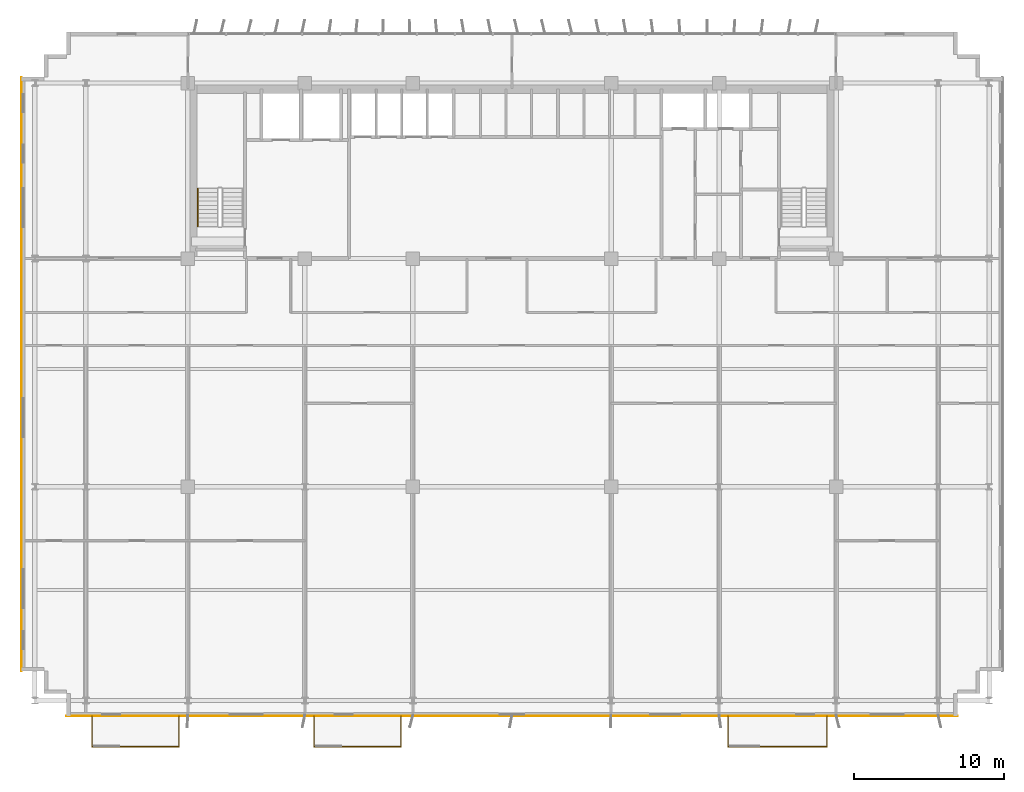
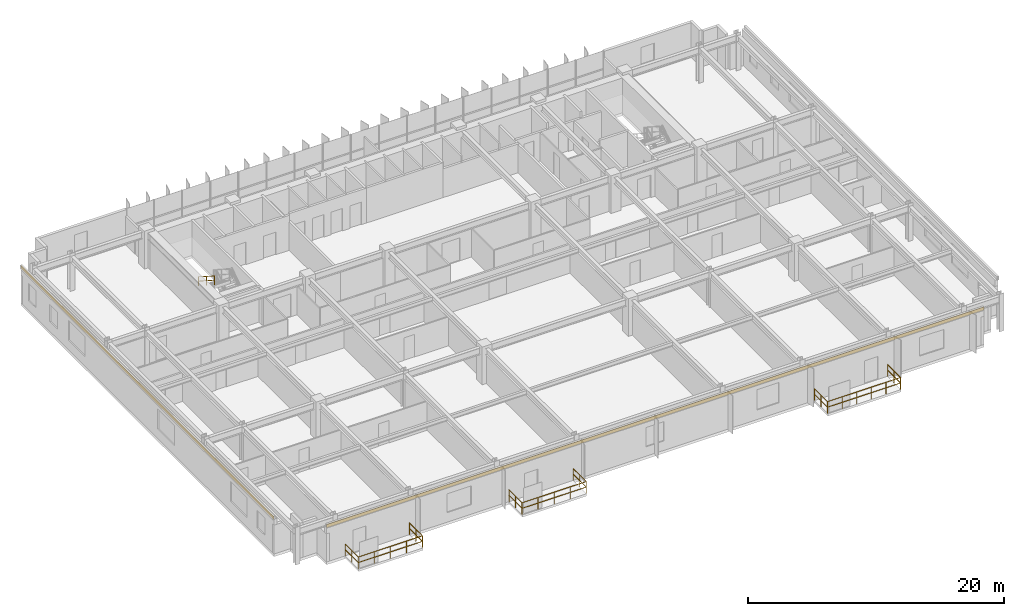
# One storey, part 19 of 21: 10 railings, 2 coverings.
"""IFC4 building model written with IfcOpenShell, lengths in metres."""

from ifc_helpers import new_model, si_unit, direction, frame, origin, origin_2d, place, context, subcontext, project, spatial, rectangle, extrude, source, transform, mapped, material, layer, layer_set, type_object, element, save


model = new_model("IFC4")

# Units and contexts
model_context = context("Model", 3, precision=1e-05, world=origin(), true_north=direction((0.0, 1.0)))
body_context = subcontext(model_context, "Body", "Model", "MODEL_VIEW")
ifc_project = project(units=[si_unit("LENGTHUNIT", "METRE"), si_unit("AREAUNIT", "SQUARE_METRE"), si_unit("VOLUMEUNIT", "CUBIC_METRE"), si_unit("PLANEANGLEUNIT", "RADIAN"), si_unit("MASSUNIT", "GRAM", prefix="KILO")], contexts=[model_context])

# Site, building, storey
site_placement = place(None, origin())
site = spatial("IfcSite", under=ifc_project, at=site_placement, CompositionType="ELEMENT")
building_placement = place(site_placement, origin())
building = spatial("IfcBuilding", under=site, at=building_placement, Name="Trelvane Seafront Commons", CompositionType="ELEMENT")
storey_placement = place(building_placement, frame((0.0, 0.0, 41.5)))
storey = spatial("IfcBuildingStorey", under=building, at=storey_placement, Name="L10", CompositionType="ELEMENT", Elevation=41.5)

# Railings
ifc_material_1 = material(Name="Stainless steel balustrade", Category="steel")
railing_type_1 = type_object("IfcRailingType", Name="ARCH-RAIL-BAL1150", PredefinedType="BALUSTRADE", material=ifc_material_1)
railing_1_placement = place(storey_placement, frame((9.199951171875, 2.89990234375, 0.0)))
element("IfcRailing", 1, at=railing_1_placement, inside=storey, type_object=railing_type_1, Name="RL-L10-BAL0-01", PredefinedType="BALUSTRADE", context=body_context, shape_type="SweptSolid", body=[
    extrude(rectangle(XDim=0.048095703125, YDim=0.048095703125, at=origin_2d()), frame((0.0, 0.0, 1.1259765625), z_axis=(0.0, -1.0, 0.0), x_axis=(1.0, 0.0, 0.0)), (0.0, 0.0, 1.0), 2.039794921875),
    extrude(rectangle(XDim=0.048095703125, YDim=0.048095703125, at=origin_2d()), frame((0.0, 0.0, 0.597900390625), z_axis=(0.0, -1.0, 0.0), x_axis=(1.0, 0.0, 0.0)), (0.0, 0.0, 1.0), 2.039794921875),
    extrude(rectangle(XDim=0.0419921875, YDim=0.0419921875, at=origin_2d()), origin(), (0.0, 0.0, 1.0), 1.1259765625),
    extrude(rectangle(XDim=0.0419921875, YDim=0.0419921875, at=origin_2d()), frame((0.0, -1.02001953125, 0.0)), (0.0, 0.0, 1.0), 1.1259765625),
    extrude(rectangle(XDim=0.0419921875, YDim=0.0419921875, at=origin_2d()), frame((0.0, -2.039794921875, 0.0)), (0.0, 0.0, 1.0), 1.1259765625),
])
railing_2_placement = place(storey_placement, frame((9.199951171875, 0.860107421875, 0.0)))
element("IfcRailing", 2, at=railing_2_placement, inside=storey, type_object=railing_type_1, Name="RL-L10-BAL0-02", PredefinedType="BALUSTRADE", context=body_context, shape_type="SweptSolid", body=[
    extrude(rectangle(XDim=0.048095703125, YDim=0.048095703125, at=origin_2d()), frame((0.0, 0.0, 1.1259765625), z_axis=(1.0, 0.0, 0.0), x_axis=(0.0, 1.0, 0.0)), (0.0, 0.0, 1.0), 5.800048828125),
    extrude(rectangle(XDim=0.048095703125, YDim=0.048095703125, at=origin_2d()), frame((0.0, 0.0, 0.597900390625), z_axis=(1.0, 0.0, 0.0), x_axis=(0.0, 1.0, 0.0)), (0.0, 0.0, 1.0), 5.800048828125),
    extrude(rectangle(XDim=0.0419921875, YDim=0.0419921875, at=origin_2d()), origin(), (0.0, 0.0, 1.0), 1.1259765625),
    extrude(rectangle(XDim=0.0419921875, YDim=0.0419921875, at=origin_2d()), frame((1.449951171875, 0.0, 0.0)), (0.0, 0.0, 1.0), 1.1259765625),
    extrude(rectangle(XDim=0.0419921875, YDim=0.0419921875, at=origin_2d()), frame((2.89990234375, 0.0, 0.0)), (0.0, 0.0, 1.0), 1.1259765625),
    extrude(rectangle(XDim=0.0419921875, YDim=0.0419921875, at=origin_2d()), frame((4.35009765625, 0.0, 0.0)), (0.0, 0.0, 1.0), 1.1259765625),
    extrude(rectangle(XDim=0.0419921875, YDim=0.0419921875, at=origin_2d()), frame((5.800048828125, 0.0, 0.0)), (0.0, 0.0, 1.0), 1.1259765625),
])
railing_3_placement = place(storey_placement, frame((15.0, 0.860107421875, 0.0)))
element("IfcRailing", 3, at=railing_3_placement, inside=storey, type_object=railing_type_1, Name="RL-L10-BAL0-03", PredefinedType="BALUSTRADE", context=body_context, shape_type="SweptSolid", body=[
    extrude(rectangle(XDim=0.048095703125, YDim=0.048095703125, at=origin_2d()), frame((0.0, 0.0, 1.1259765625), z_axis=(0.0, 1.0, 0.0), x_axis=(-1.0, 0.0, 0.0)), (0.0, 0.0, 1.0), 2.039794921875),
    extrude(rectangle(XDim=0.048095703125, YDim=0.048095703125, at=origin_2d()), frame((0.0, 0.0, 0.597900390625), z_axis=(0.0, 1.0, 0.0), x_axis=(-1.0, 0.0, 0.0)), (0.0, 0.0, 1.0), 2.039794921875),
    extrude(rectangle(XDim=0.0419921875, YDim=0.0419921875, at=origin_2d()), origin(), (0.0, 0.0, 1.0), 1.1259765625),
    extrude(rectangle(XDim=0.0419921875, YDim=0.0419921875, at=origin_2d()), frame((0.0, 1.02001953125, 0.0)), (0.0, 0.0, 1.0), 1.1259765625),
    extrude(rectangle(XDim=0.0419921875, YDim=0.0419921875, at=origin_2d()), frame((0.0, 2.039794921875, 0.0)), (0.0, 0.0, 1.0), 1.1259765625),
])
railing_4_placement = place(storey_placement, frame((24.0, 2.89990234375, 0.0)))
element("IfcRailing", 4, at=railing_4_placement, inside=storey, type_object=railing_type_1, Name="RL-L10-BAL1-01", PredefinedType="BALUSTRADE", context=body_context, shape_type="SweptSolid", body=[
    extrude(rectangle(XDim=0.048095703125, YDim=0.048095703125, at=origin_2d()), frame((0.0, 0.0, 1.1259765625), z_axis=(0.0, -1.0, 0.0), x_axis=(1.0, 0.0, 0.0)), (0.0, 0.0, 1.0), 2.039794921875),
    extrude(rectangle(XDim=0.048095703125, YDim=0.048095703125, at=origin_2d()), frame((0.0, 0.0, 0.597900390625), z_axis=(0.0, -1.0, 0.0), x_axis=(1.0, 0.0, 0.0)), (0.0, 0.0, 1.0), 2.039794921875),
    extrude(rectangle(XDim=0.0419921875, YDim=0.0419921875, at=origin_2d()), origin(), (0.0, 0.0, 1.0), 1.1259765625),
    extrude(rectangle(XDim=0.0419921875, YDim=0.0419921875, at=origin_2d()), frame((0.0, -1.02001953125, 0.0)), (0.0, 0.0, 1.0), 1.1259765625),
    extrude(rectangle(XDim=0.0419921875, YDim=0.0419921875, at=origin_2d()), frame((0.0, -2.039794921875, 0.0)), (0.0, 0.0, 1.0), 1.1259765625),
])
railing_5_placement = place(storey_placement, frame((24.0, 0.860107421875, 0.0)))
element("IfcRailing", 5, at=railing_5_placement, inside=storey, type_object=railing_type_1, Name="RL-L10-BAL1-02", PredefinedType="BALUSTRADE", context=body_context, shape_type="SweptSolid", body=[
    extrude(rectangle(XDim=0.048095703125, YDim=0.048095703125, at=origin_2d()), frame((0.0, 0.0, 1.1259765625), z_axis=(1.0, 0.0, 0.0), x_axis=(0.0, 1.0, 0.0)), (0.0, 0.0, 1.0), 5.800048828125),
    extrude(rectangle(XDim=0.048095703125, YDim=0.048095703125, at=origin_2d()), frame((0.0, 0.0, 0.597900390625), z_axis=(1.0, 0.0, 0.0), x_axis=(0.0, 1.0, 0.0)), (0.0, 0.0, 1.0), 5.800048828125),
    extrude(rectangle(XDim=0.0419921875, YDim=0.0419921875, at=origin_2d()), origin(), (0.0, 0.0, 1.0), 1.1259765625),
    extrude(rectangle(XDim=0.0419921875, YDim=0.0419921875, at=origin_2d()), frame((1.449951171875, 0.0, 0.0)), (0.0, 0.0, 1.0), 1.1259765625),
    extrude(rectangle(XDim=0.0419921875, YDim=0.0419921875, at=origin_2d()), frame((2.89990234375, 0.0, 0.0)), (0.0, 0.0, 1.0), 1.1259765625),
    extrude(rectangle(XDim=0.0419921875, YDim=0.0419921875, at=origin_2d()), frame((4.35009765625, 0.0, 0.0)), (0.0, 0.0, 1.0), 1.1259765625),
    extrude(rectangle(XDim=0.0419921875, YDim=0.0419921875, at=origin_2d()), frame((5.800048828125, 0.0, 0.0)), (0.0, 0.0, 1.0), 1.1259765625),
])
railing_6_placement = place(storey_placement, frame((29.800048828125, 0.860107421875, 0.0)))
element("IfcRailing", 6, at=railing_6_placement, inside=storey, type_object=railing_type_1, Name="RL-L10-BAL1-03", PredefinedType="BALUSTRADE", context=body_context, shape_type="SweptSolid", body=[
    extrude(rectangle(XDim=0.048095703125, YDim=0.048095703125, at=origin_2d()), frame((0.0, 0.0, 1.1259765625), z_axis=(0.0, 1.0, 0.0), x_axis=(-1.0, 0.0, 0.0)), (0.0, 0.0, 1.0), 2.039794921875),
    extrude(rectangle(XDim=0.048095703125, YDim=0.048095703125, at=origin_2d()), frame((0.0, 0.0, 0.597900390625), z_axis=(0.0, 1.0, 0.0), x_axis=(-1.0, 0.0, 0.0)), (0.0, 0.0, 1.0), 2.039794921875),
    extrude(rectangle(XDim=0.0419921875, YDim=0.0419921875, at=origin_2d()), origin(), (0.0, 0.0, 1.0), 1.1259765625),
    extrude(rectangle(XDim=0.0419921875, YDim=0.0419921875, at=origin_2d()), frame((0.0, 1.02001953125, 0.0)), (0.0, 0.0, 1.0), 1.1259765625),
    extrude(rectangle(XDim=0.0419921875, YDim=0.0419921875, at=origin_2d()), frame((0.0, 2.039794921875, 0.0)), (0.0, 0.0, 1.0), 1.1259765625),
])
railing_7_placement = place(storey_placement, frame((51.60009765625, 2.89990234375, 0.0)))
element("IfcRailing", 7, at=railing_7_placement, inside=storey, type_object=railing_type_1, Name="RL-L10-BAL2-01", PredefinedType="BALUSTRADE", context=body_context, shape_type="SweptSolid", body=[
    extrude(rectangle(XDim=0.048095703125, YDim=0.048095703125, at=origin_2d()), frame((0.0, 0.0, 1.1259765625), z_axis=(0.0, -1.0, 0.0), x_axis=(1.0, 0.0, 0.0)), (0.0, 0.0, 1.0), 2.039794921875),
    extrude(rectangle(XDim=0.048095703125, YDim=0.048095703125, at=origin_2d()), frame((0.0, 0.0, 0.597900390625), z_axis=(0.0, -1.0, 0.0), x_axis=(1.0, 0.0, 0.0)), (0.0, 0.0, 1.0), 2.039794921875),
    extrude(rectangle(XDim=0.0419921875, YDim=0.0419921875, at=origin_2d()), origin(), (0.0, 0.0, 1.0), 1.1259765625),
    extrude(rectangle(XDim=0.0419921875, YDim=0.0419921875, at=origin_2d()), frame((0.0, -1.02001953125, 0.0)), (0.0, 0.0, 1.0), 1.1259765625),
    extrude(rectangle(XDim=0.0419921875, YDim=0.0419921875, at=origin_2d()), frame((0.0, -2.039794921875, 0.0)), (0.0, 0.0, 1.0), 1.1259765625),
])
railing_8_placement = place(storey_placement, frame((51.60009765625, 0.860107421875, 0.0)))
element("IfcRailing", 8, at=railing_8_placement, inside=storey, type_object=railing_type_1, Name="RL-L10-BAL2-02", PredefinedType="BALUSTRADE", context=body_context, shape_type="SweptSolid", body=[
    extrude(rectangle(XDim=0.048095703125, YDim=0.048095703125, at=origin_2d()), frame((0.0, 0.0, 1.1259765625), z_axis=(1.0, 0.0, 0.0), x_axis=(0.0, 1.0, 0.0)), (0.0, 0.0, 1.0), 6.599853515625),
    extrude(rectangle(XDim=0.048095703125, YDim=0.048095703125, at=origin_2d()), frame((0.0, 0.0, 0.597900390625), z_axis=(1.0, 0.0, 0.0), x_axis=(0.0, 1.0, 0.0)), (0.0, 0.0, 1.0), 6.599853515625),
    extrude(rectangle(XDim=0.0419921875, YDim=0.0419921875, at=origin_2d()), origin(), (0.0, 0.0, 1.0), 1.1259765625),
    extrude(rectangle(XDim=0.0419921875, YDim=0.0419921875, at=origin_2d()), frame((1.320068359375, 0.0, 0.0)), (0.0, 0.0, 1.0), 1.1259765625),
    extrude(rectangle(XDim=0.0419921875, YDim=0.0419921875, at=origin_2d()), frame((2.639892578125, 0.0, 0.0)), (0.0, 0.0, 1.0), 1.1259765625),
    extrude(rectangle(XDim=0.0419921875, YDim=0.0419921875, at=origin_2d()), frame((3.9599609375, 0.0, 0.0)), (0.0, 0.0, 1.0), 1.1259765625),
    extrude(rectangle(XDim=0.0419921875, YDim=0.0419921875, at=origin_2d()), frame((5.27978515625, 0.0, 0.0)), (0.0, 0.0, 1.0), 1.1259765625),
    extrude(rectangle(XDim=0.0419921875, YDim=0.0419921875, at=origin_2d()), frame((6.599853515625, 0.0, 0.0)), (0.0, 0.0, 1.0), 1.1259765625),
])
railing_9_placement = place(storey_placement, frame((58.199951171875, 0.860107421875, 0.0)))
element("IfcRailing", 9, at=railing_9_placement, inside=storey, type_object=railing_type_1, Name="RL-L10-BAL2-03", PredefinedType="BALUSTRADE", context=body_context, shape_type="SweptSolid", body=[
    extrude(rectangle(XDim=0.048095703125, YDim=0.048095703125, at=origin_2d()), frame((0.0, 0.0, 1.1259765625), z_axis=(0.0, 1.0, 0.0), x_axis=(-1.0, 0.0, 0.0)), (0.0, 0.0, 1.0), 2.039794921875),
    extrude(rectangle(XDim=0.048095703125, YDim=0.048095703125, at=origin_2d()), frame((0.0, 0.0, 0.597900390625), z_axis=(0.0, 1.0, 0.0), x_axis=(-1.0, 0.0, 0.0)), (0.0, 0.0, 1.0), 2.039794921875),
    extrude(rectangle(XDim=0.0419921875, YDim=0.0419921875, at=origin_2d()), origin(), (0.0, 0.0, 1.0), 1.1259765625),
    extrude(rectangle(XDim=0.0419921875, YDim=0.0419921875, at=origin_2d()), frame((0.0, 1.02001953125, 0.0)), (0.0, 0.0, 1.0), 1.1259765625),
    extrude(rectangle(XDim=0.0419921875, YDim=0.0419921875, at=origin_2d()), frame((0.0, 2.039794921875, 0.0)), (0.0, 0.0, 1.0), 1.1259765625),
])
railing_type_2 = type_object("IfcRailingType", Name="ARCH-SRL-HAND", PredefinedType="HANDRAIL", material=ifc_material_1)
railing_10_placement = place(storey_placement, frame((16.25, 38.070068359375, 1.97998046875)))
element("IfcRailing", 10, at=railing_10_placement, inside=storey, type_object=railing_type_2, Name="L10 ST-1 stair handrail 2", PredefinedType="HANDRAIL", context=body_context, shape_type="SweptSolid", body=[
    extrude(rectangle(XDim=0.048095703125, YDim=0.048095703125, at=origin_2d()), frame((0.0, 0.0, 0.8759765625), z_axis=(0.0, -0.841162588446, 0.540782303519), x_axis=(1.0, 0.0, 0.0)), (0.0, 0.0, 1.0), 2.995849609375),
    extrude(rectangle(XDim=0.048095703125, YDim=0.048095703125, at=origin_2d()), frame((0.0, 0.0, 0.468017578125), z_axis=(0.0, -0.841162588446, 0.540782303519), x_axis=(1.0, 0.0, 0.0)), (0.0, 0.0, 1.0), 2.995849609375),
    extrude(rectangle(XDim=0.0419921875, YDim=0.0419921875, at=origin_2d()), origin(), (0.0, 0.0, 1.0), 0.8759765625),
    extrude(rectangle(XDim=0.0419921875, YDim=0.0419921875, at=origin_2d()), frame((0.0, -1.260009765625, 0.81005859375)), (0.0, 0.0, 1.0), 0.8759765625),
    extrude(rectangle(XDim=0.0419921875, YDim=0.0419921875, at=origin_2d()), frame((0.0, -2.52001953125, 1.6201171875)), (0.0, 0.0, 1.0), 0.8759765625),
])

# Coverings
ifc_material_2 = material(Name="Anodised pale-silver aluminium", Category="aluminium")
ifc_layer = layer(ifc_material_2, 0.034912109375, Name="ARCH-COV-CLAD35")
ifc_layer_set = layer_set([ifc_layer], Name="Anodised pale-silver aluminium")
covering_type = type_object("IfcCoveringType", Name="ARCH-COV-CLAD35", PredefinedType="CLADDING", material=ifc_layer_set)
shared_shape_1 = source(origin(), body_context, "Body", "SweptSolid", [
    extrude(rectangle(XDim=39.60009765625, YDim=0.034912109375, at=origin_2d()), origin(), (0.0, 0.0, 1.0), 0.300048828125),
])
covering_1_placement = place(storey_placement, frame((4.5, 25.699951171875, 3.2998046875), z_axis=(0.0, 0.0, 1.0), x_axis=(0.0, 1.0, 0.0)))
element("IfcCovering", 11, at=covering_1_placement, inside=storey, type_object=covering_type, Name="CLD-L10-00054", PredefinedType="CLADDING", context=body_context, shape_type="MappedRepresentation", body=[
    mapped(shared_shape_1, transform((0.0, 0.0, 0.0), x_axis=(1.0, 0.0, 0.0), y_axis=(0.0, 1.0, 0.0), z_axis=(0.0, 0.0, 1.0), scale=1.0)),
])
shared_shape_2 = source(origin(), body_context, "Body", "SweptSolid", [
    extrude(rectangle(XDim=59.39990234375, YDim=0.034912109375, at=origin_2d()), origin(), (0.0, 0.0, 1.0), 0.300048828125),
])
covering_2_placement = place(storey_placement, frame((37.199951171875, 2.89990234375, 3.2998046875), z_axis=(0.0, 0.0, 1.0), x_axis=(-1.0, 0.0, 0.0)))
element("IfcCovering", 12, at=covering_2_placement, inside=storey, type_object=covering_type, Name="CLD-L10-00056", PredefinedType="CLADDING", context=body_context, shape_type="MappedRepresentation", body=[
    mapped(shared_shape_2, transform((0.0, 0.0, 0.0), x_axis=(1.0, 0.0, 0.0), y_axis=(0.0, 1.0, 0.0), z_axis=(0.0, 0.0, 1.0), scale=1.0)),
])

save(model, "model.ifc")
